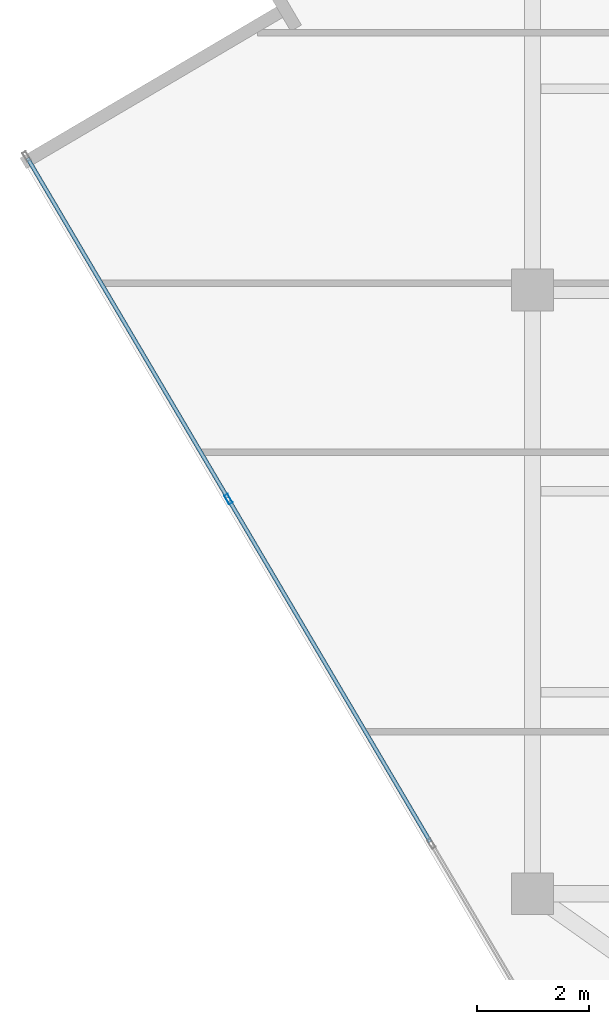
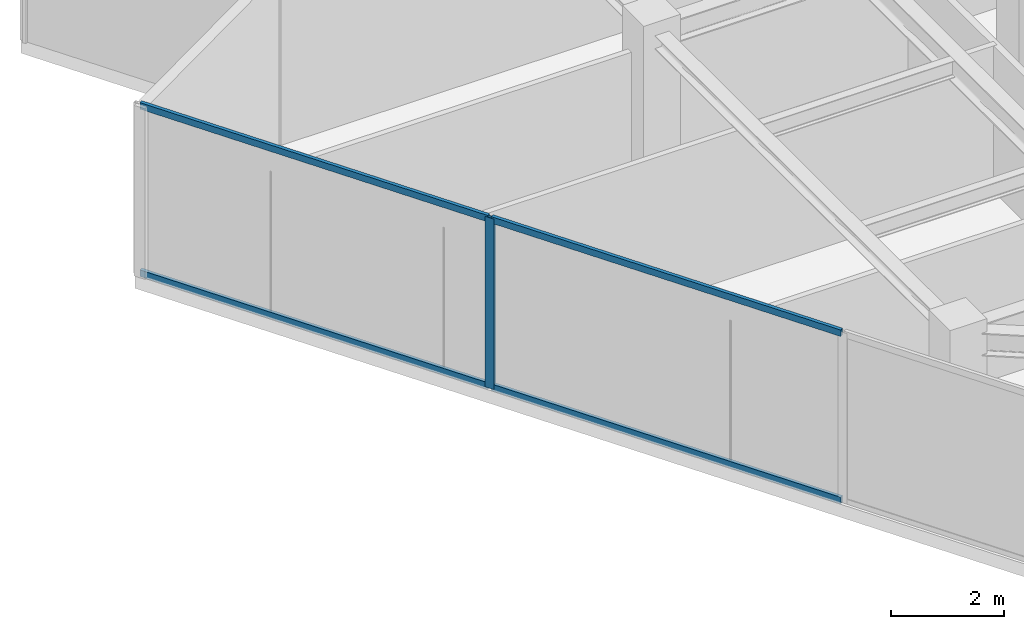
# One storey, part 4 of 20: 5 members, 1 element without a shape of its own.
"""IFC4 building model written with IfcOpenShell, lengths in metres."""

from ifc_helpers import new_model, si_unit, direction, frame, origin, origin_2d, place, context, subcontext, project, spatial, hollow_rectangle, extrude, source, transform, mapped, material, material_profile, profile_set, type_object, type_shapes, element, aggregate, save


model = new_model("IFC4")

# Units and contexts
model_context = context("Model", 3, precision=1e-05, world=origin(), true_north=direction((0.0, 1.0)))
body_context = subcontext(model_context, "Body", "Model", "MODEL_VIEW")
ifc_project = project(units=[si_unit("LENGTHUNIT", "METRE"), si_unit("AREAUNIT", "SQUARE_METRE"), si_unit("VOLUMEUNIT", "CUBIC_METRE"), si_unit("PLANEANGLEUNIT", "RADIAN"), si_unit("MASSUNIT", "GRAM", prefix="KILO")], contexts=[model_context])

# Site, building, storey
site_placement = place(None, origin())
site = spatial("IfcSite", under=ifc_project, at=site_placement, CompositionType="ELEMENT")
building_placement = place(site_placement, origin())
building = spatial("IfcBuilding", under=site, at=building_placement, Name="Krantzveldt Concourse Tower", CompositionType="ELEMENT")
storey_placement = place(building_placement, frame((0.0, 0.0, 299.0)))
storey = spatial("IfcBuildingStorey", under=building, at=storey_placement, Name="L73", CompositionType="ELEMENT", Elevation=299.0)

# Curtain wall, members
ifc_material = material(Name="Anodised aluminium 6063-T6", Category="aluminium")
curtain_wall_type = type_object("IfcCurtainWallType", Name="CW4", PredefinedType="USERDEFINED", material=ifc_material)
curtain_wall_placement = place(storey_placement, origin())
curtain_wall = element("IfcCurtainWall", 1, at=curtain_wall_placement, inside=storey, type_object=curtain_wall_type, Name="CW-L73-F04", ObjectType="UNITISED CURTAIN WALL", PredefinedType="USERDEFINED")
ifc_material_profile_1 = material_profile(ifc_material, hollow_rectangle(XDim=0.070068359375, YDim=0.179931640625, WallThickness=0.0048828125, at=origin_2d()), Name="Anodised aluminium 6063-T6", Category="aluminium")
ifc_profile_set_1 = profile_set([ifc_material_profile_1], Name="Anodised aluminium 6063-T6 - ALU-MULL 180x70x5")
member_type_1 = type_object("IfcMemberType", Name="CW-MUL-180", PredefinedType="MULLION", material=ifc_profile_set_1)
shared_shape_1 = source(origin(), body_context, "Body", "SweptSolid", [
    extrude(hollow_rectangle(XDim=0.070068359375, YDim=0.179931640625, WallThickness=0.0048828125, at=origin_2d()), origin(), (0.0, 0.0, 1.0), 3.669921875),
])
type_shapes(member_type_1, [shared_shape_1])
member_1_placement = place(storey_placement, frame((15.560791015625, 22.95849609375, 0.0), z_axis=(0.0, 0.0, 1.0), x_axis=(0.861629171479, 0.507538344223, 0.0)))
member_1 = element("IfcMember", 2, at=member_1_placement, type_object=member_type_1, Name="CW-Z56 mullion 2", PredefinedType="MULLION", context=body_context, shape_type="MappedRepresentation", body=[
    mapped(shared_shape_1, transform((0.0, 0.0, 0.0), x_axis=(1.0, 0.0, 0.0), y_axis=(0.0, 1.0, 0.0), z_axis=(0.0, 0.0, 1.0), scale=1.0)),
])
ifc_material_profile_2 = material_profile(ifc_material, hollow_rectangle(XDim=0.070068359375, YDim=0.139892578125, WallThickness=0.0048828125, at=origin_2d()), Name="Anodised aluminium 6063-T6", Category="aluminium")
ifc_profile_set_2 = profile_set([ifc_material_profile_2], Name="Anodised aluminium 6063-T6 - ALU-TRAN 140x70x5")
member_type_2 = type_object("IfcMemberType", Name="CW-TRN-150", PredefinedType="USERDEFINED", material=ifc_profile_set_2)
shared_shape_2 = source(origin(), body_context, "Body", "SweptSolid", [
    extrude(hollow_rectangle(XDim=0.070068359375, YDim=0.139892578125, WallThickness=0.0048828125, at=origin_2d()), origin(), (0.0, 0.0, 1.0), 7.044921875),
])
member_2_placement = place(storey_placement, frame((11.96728515625, 29.058837890625, 0.034912109375), z_axis=(0.507553124405, -0.861620465116, 0.0), x_axis=(0.861620465116, 0.507553124405, 0.0)))
member_2 = element("IfcMember", 3, at=member_2_placement, type_object=member_type_2, Name="CW-Z56 transom 1.1", ObjectType="TRANSOM", PredefinedType="USERDEFINED", context=body_context, shape_type="MappedRepresentation", body=[
    mapped(shared_shape_2, transform((0.0, 0.0, 0.0), x_axis=(1.0, 0.0, 0.0), y_axis=(0.0, 1.0, 0.0), z_axis=(0.0, 0.0, 1.0), scale=1.0)),
])
member_3_placement = place(storey_placement, frame((11.96728515625, 29.058837890625, 3.635009765625), z_axis=(0.507553124405, -0.861620465116, 0.0), x_axis=(0.861620465116, 0.507553124405, 0.0)))
member_3 = element("IfcMember", 4, at=member_3_placement, type_object=member_type_2, Name="CW-Z56 transom 1.2", ObjectType="TRANSOM", PredefinedType="USERDEFINED", context=body_context, shape_type="MappedRepresentation", body=[
    mapped(shared_shape_2, transform((0.0, 0.0, 0.0), x_axis=(1.0, 0.0, 0.0), y_axis=(0.0, 1.0, 0.0), z_axis=(0.0, 0.0, 1.0), scale=1.0)),
])
shared_shape_3 = source(origin(), body_context, "Body", "SweptSolid", [
    extrude(hollow_rectangle(XDim=0.070068359375, YDim=0.139892578125, WallThickness=0.0048828125, at=origin_2d()), origin(), (0.0, 0.0, 1.0), 7.080078125),
])
type_shapes(member_type_2, [shared_shape_2, shared_shape_3])
member_4_placement = place(storey_placement, frame((15.578369140625, 22.928466796875, 0.034912109375), z_axis=(0.507551986665, -0.861621135321, 0.0), x_axis=(0.861621135321, 0.507551986665, 0.0)))
member_4 = element("IfcMember", 5, at=member_4_placement, type_object=member_type_2, Name="CW-Z56 transom 2.1", ObjectType="TRANSOM", PredefinedType="USERDEFINED", context=body_context, shape_type="MappedRepresentation", body=[
    mapped(shared_shape_3, transform((0.0, 0.0, 0.0), x_axis=(1.0, 0.0, 0.0), y_axis=(0.0, 1.0, 0.0), z_axis=(0.0, 0.0, 1.0), scale=1.0)),
])
member_5_placement = place(storey_placement, frame((15.578369140625, 22.928466796875, 3.635009765625), z_axis=(0.507551986665, -0.861621135321, 0.0), x_axis=(0.861621135321, 0.507551986665, 0.0)))
member_5 = element("IfcMember", 6, at=member_5_placement, type_object=member_type_2, Name="CW-Z56 transom 2.2", ObjectType="TRANSOM", PredefinedType="USERDEFINED", context=body_context, shape_type="MappedRepresentation", body=[
    mapped(shared_shape_3, transform((0.0, 0.0, 0.0), x_axis=(1.0, 0.0, 0.0), y_axis=(0.0, 1.0, 0.0), z_axis=(0.0, 0.0, 1.0), scale=1.0)),
])
aggregate(curtain_wall, [member_1, member_2, member_3, member_4, member_5])

save(model, "model.ifc")
